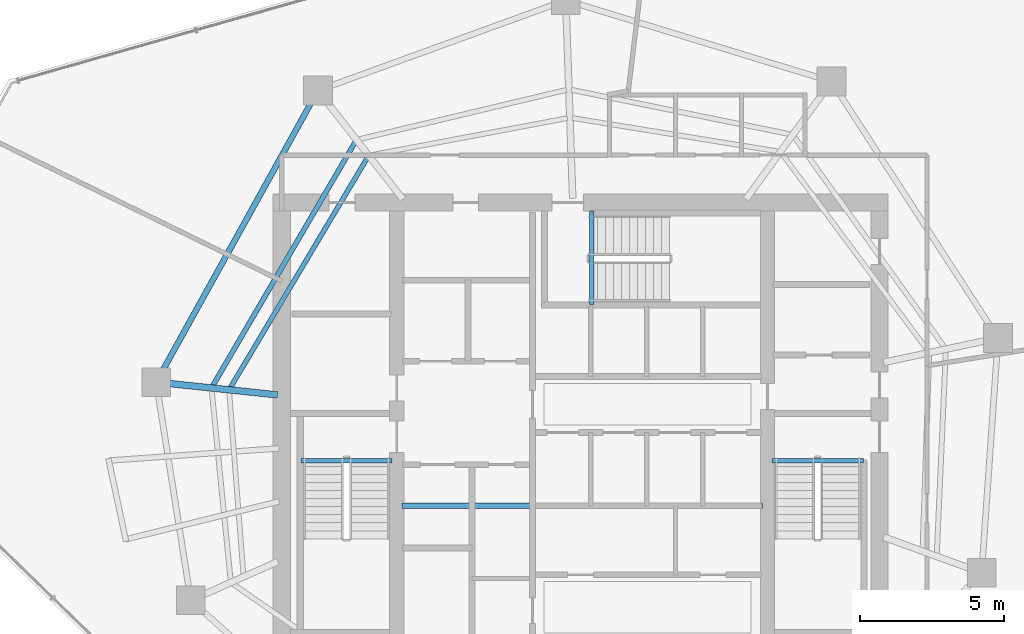
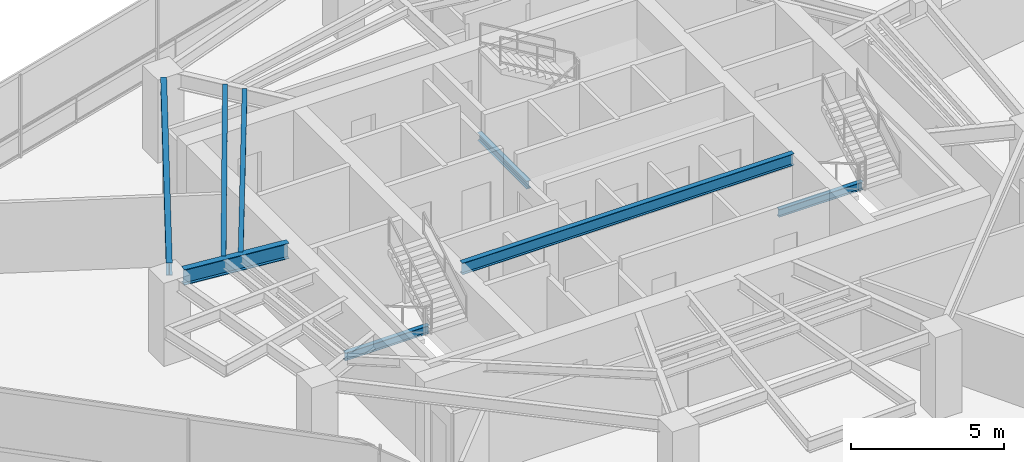
# One storey, part 5 of 19: 8 beams.
"""IFC4 building model written with IfcOpenShell, lengths in metres."""

import ifcopenshell
import ifcopenshell.guid

model = None  # the IFC model being written
_history = None  # IfcOwnerHistory: only IFC2X3 demands one
_inside = {}  # id of a spatial element -> (the spatial element, [elements in it])
_under = {}  # id of a project, library or spatial element -> (it, [spatial elements below it])
_declared = {}  # id of a project -> (the project, [libraries it declares])
_typed = {}  # id of a type object -> (the type object, [elements of that type])
_made_of = {}  # id of a material, layer set ... -> (it, [elements and type objects made of it])


def new_model(schema):
    """Start an empty IFC model of exactly this schema.

    Asked for "IFC4X3", IfcOpenShell would pick the latest addendum, in which some entities
    have other attributes; the version numbers below select the first issue.
    IFC2X3 requires an IfcOwnerHistory on every rooted entity: one is made here for all.
    """
    global model, _history
    if schema == "IFC4X3":
        model = ifcopenshell.file(schema_version=(4, 3, 0, 0))
    else:
        model = ifcopenshell.file(schema=schema)
    _inside.clear()
    _under.clear()
    _declared.clear()
    _typed.clear()
    _made_of.clear()
    _history = None
    if model.schema == "IFC2X3":
        org = make("IfcOrganization", Name="unknown")
        user = make(
            "IfcPersonAndOrganization",
            ThePerson=make("IfcPerson", FamilyName="unknown"),
            TheOrganization=org,
        )
        app = make(
            "IfcApplication",
            ApplicationDeveloper=org,
            Version="unknown",
            ApplicationFullName="unknown",
            ApplicationIdentifier="unknown",
        )
        _history = make(
            "IfcOwnerHistory",
            OwningUser=user,
            OwningApplication=app,
            ChangeAction="ADDED",
            CreationDate=0,
        )
    return model


def make(cls, **values):
    """One entity of the class cls with the attributes given. An attribute that is None is left unset."""
    return model.create_entity(
        cls, **{name: value for name, value in values.items() if value is not None}
    )


def rooted(cls, **values):
    """An entity with a GlobalId (a new one), such as an element, a storey or a relation."""
    return make(cls, GlobalId=ifcopenshell.guid.new(), OwnerHistory=_history, **values)


def si_unit(unit_type, name, prefix=None):
    """IfcSIUnit, for example si_unit("LENGTHUNIT", "METRE", prefix="MILLI")."""
    return make("IfcSIUnit", UnitType=unit_type, Prefix=prefix, Name=name)


def assignment(units):
    """IfcUnitAssignment: the units of a project."""
    return None if units is None else make("IfcUnitAssignment", Units=units)


def point(xyz):
    """IfcCartesianPoint."""
    return None if xyz is None else make("IfcCartesianPoint", Coordinates=xyz)


def direction(xyz):
    """IfcDirection."""
    return None if xyz is None else make("IfcDirection", DirectionRatios=xyz)


def frame(location, z_axis=None, x_axis=None):
    """IfcAxis2Placement3D, a coordinate frame: its origin and axes. An axis left out is left unset."""
    return make(
        "IfcAxis2Placement3D",
        Location=point(location),
        Axis=direction(z_axis),
        RefDirection=direction(x_axis),
    )


def frame_2d(location, x_axis=None):
    """IfcAxis2Placement2D, a coordinate frame in the plane: its origin and x axis."""
    return make(
        "IfcAxis2Placement2D", Location=point(location), RefDirection=direction(x_axis)
    )


def origin():
    """The frame at (0, 0, 0) with its axes left unset."""
    return frame((0.0, 0.0, 0.0))


def origin_2d():
    """The frame at (0, 0) in the plane with its x axis left unset."""
    return frame_2d((0.0, 0.0))


def place(relative_to, where):
    """IfcLocalPlacement: puts the frame where relative to a parent placement (None: the world)."""
    return make(
        "IfcLocalPlacement", PlacementRelTo=relative_to, RelativePlacement=where
    )


def context(
    kind, dimensions, precision=None, world=None, true_north=None, identifier=None
):
    """IfcGeometricRepresentationContext, for example the 3D "Model" context."""
    return make(
        "IfcGeometricRepresentationContext",
        ContextIdentifier=identifier,
        ContextType=kind,
        CoordinateSpaceDimension=dimensions,
        Precision=precision,
        WorldCoordinateSystem=world,
        TrueNorth=true_north,
    )


def subcontext(parent, identifier, kind, view, scale=None):
    """IfcGeometricRepresentationSubContext, for example "Body" below "Model"."""
    return make(
        "IfcGeometricRepresentationSubContext",
        ContextIdentifier=identifier,
        ContextType=kind,
        ParentContext=parent,
        TargetScale=scale,
        TargetView=view,
    )


def project(units=None, contexts=None):
    """IfcProject with its units and contexts."""
    return rooted(
        "IfcProject",
        Name="project",
        RepresentationContexts=contexts,
        UnitsInContext=assignment(units),
    )


def spatial(cls, under=None, at=None, **own):
    """A site, building, storey or space (cls), placed at a placement, below another one or the project."""
    s = rooted(cls, ObjectPlacement=at, **own)
    if under is not None:
        _under.setdefault(under.id(), (under, []))[1].append(s)
    return s


def profile(cls, at=None, kind="AREA", **sizes):
    """A parametric profile (cls). Its sizes go by their IFC names, for example OverallWidth=200.0."""
    return make(cls, ProfileType=kind, Position=at, **sizes)


def i_section(**sizes):
    """IfcIShapeProfileDef."""
    return profile("IfcIShapeProfileDef", **sizes)


def extrude(swept, where, along, depth):
    """IfcExtrudedAreaSolid: the profile swept, set in the frame where, extruded along a direction by depth."""
    return make(
        "IfcExtrudedAreaSolid",
        SweptArea=swept,
        Position=where,
        ExtrudedDirection=direction(along),
        Depth=depth,
    )


def shape(context_of_items, identifier, shape_type, items):
    """IfcShapeRepresentation: the items that make up one representation, for example the "Body"."""
    return make(
        "IfcShapeRepresentation",
        ContextOfItems=context_of_items,
        RepresentationIdentifier=identifier,
        RepresentationType=shape_type,
        Items=items,
    )


def material(Name=None, Category=None):
    """IfcMaterial."""
    return make("IfcMaterial", Name=Name, Category=Category)


def material_profile(
    of_material, cross_section, Name=None, Category=None, Priority=None
):
    """IfcMaterialProfile: a cross section and its material."""
    return make(
        "IfcMaterialProfile",
        Name=Name,
        Material=of_material,
        Profile=cross_section,
        Priority=Priority,
        Category=Category,
    )


def profile_set(profiles, Name=None, composite=None):
    """IfcMaterialProfileSet."""
    return make(
        "IfcMaterialProfileSet",
        Name=Name,
        MaterialProfiles=profiles,
        CompositeProfile=composite,
    )


def made_of(thing, what):
    """Note that an element or type object is made of a material, layer set ...; save() writes the relation."""
    if what is not None:
        _made_of.setdefault(what.id(), (what, []))[1].append(thing)
    return thing


def type_object(cls, material=None, **own):
    """A type object (cls), such as IfcWallType, which elements share."""
    return made_of(rooted(cls, **own), material)


def element(
    cls,
    number,
    at=None,
    inside=None,
    cuts=None,
    type_object=None,
    material=None,
    context=None,
    identifier="Body",
    shape_type=None,
    held_by="IfcProductDefinitionShape",
    body=None,
    shapes=None,
    **own,
):
    """One element of the class cls, such as IfcWall. Its Tag is "e" and its number.

    at: its placement. inside: the storey or other place that contains it. cuts: it is an
    opening in that element (IfcRelVoidsElement). A single representation is given by context,
    identifier, shape_type and body (its items); several are given by shapes. held_by: the class
    of the entity that holds the representations. save() writes the other relations.
    """
    e = rooted(cls, Tag="e%d" % number, ObjectPlacement=at, **own)
    if body is not None:
        shapes = [shape(context, identifier, shape_type, body)]
    if shapes is not None:
        e.Representation = make(held_by, Representations=shapes)
    if inside is not None:
        _inside.setdefault(inside.id(), (inside, []))[1].append(e)
    if cuts is not None:
        rooted(
            "IfcRelVoidsElement", RelatingBuildingElement=cuts, RelatedOpeningElement=e
        )
    if type_object is not None:
        _typed.setdefault(type_object.id(), (type_object, []))[1].append(e)
    return made_of(e, material)


def aggregate(whole, parts):
    """IfcRelAggregates: a whole, such as a stair, and the parts it consists of."""
    return rooted("IfcRelAggregates", RelatingObject=whole, RelatedObjects=parts)


def save(model, path):
    """Write the relations noted so far, then the file.

    IfcRelAggregates (storeys below a building ...), IfcRelContainedInSpatialStructure (elements
    in a storey), IfcRelDefinesByType, IfcRelAssociatesMaterial and IfcRelDeclares: one each for
    every whole, place, type object, material and project.
    """
    for whole, parts in _under.values():
        aggregate(whole, parts)
    for where, things in _inside.values():
        rooted(
            "IfcRelContainedInSpatialStructure",
            RelatedElements=things,
            RelatingStructure=where,
        )
    for kind, things in _typed.values():
        rooted("IfcRelDefinesByType", RelatedObjects=things, RelatingType=kind)
    for what, things in _made_of.values():
        rooted("IfcRelAssociatesMaterial", RelatedObjects=things, RelatingMaterial=what)
    for by, libraries in _declared.values():
        rooted("IfcRelDeclares", RelatingContext=by, RelatedDefinitions=libraries)
    model.write(path)


model = new_model("IFC4")

# Units and contexts
model_context = context("Model", 3, precision=1e-05, world=origin(), true_north=direction((0.0, 1.0)))
body_context = subcontext(model_context, "Body", "Model", "MODEL_VIEW")
ifc_project = project(units=[si_unit("LENGTHUNIT", "METRE"), si_unit("AREAUNIT", "SQUARE_METRE"), si_unit("VOLUMEUNIT", "CUBIC_METRE"), si_unit("PLANEANGLEUNIT", "RADIAN"), si_unit("MASSUNIT", "GRAM", prefix="KILO")], contexts=[model_context])

# Site, building, storey
site_placement = place(None, origin())
site = spatial("IfcSite", under=ifc_project, at=site_placement, CompositionType="ELEMENT")
building_placement = place(site_placement, origin())
building = spatial("IfcBuilding", under=site, at=building_placement, Name="Qarnah Convention Tower", CompositionType="ELEMENT")
storey_placement = place(building_placement, frame((0.0, 0.0, 125.699951171875)))
storey = spatial("IfcBuildingStorey", under=building, at=storey_placement, Name="L33", CompositionType="ELEMENT", Elevation=125.699951171875)

# Beams
ifc_material = material(Name="Structural steel S355JR", Category="steel")
ifc_material_profile_1 = material_profile(ifc_material, i_section(OverallWidth=0.19189453125, OverallDepth=0.464111328125, WebThickness=0.010986328125, FlangeThickness=0.01806640625, at=origin_2d()), Name="W460X89")
ifc_profile_set_1 = profile_set([ifc_material_profile_1], Name="Structural steel S355JR")
beam_type_1 = type_object("IfcBeamType", Name="BM-CANT-W460A", PredefinedType="BEAM", material=ifc_profile_set_1)
beam_1_placement = place(storey_placement, frame((30.97998046875, 23.64990234375, 3.088134765625), z_axis=(1.0, 0.0, 0.0), x_axis=(0.0, 1.0, 0.0)))
element("IfcBeam", 1, at=beam_1_placement, inside=storey, type_object=beam_type_1, Name="L33 beam BM-L33-KC1", PredefinedType="BEAM", context=body_context, shape_type="SweptSolid", body=[
    extrude(i_section(OverallWidth=0.19189453125, OverallDepth=0.464111328125, WebThickness=0.010986328125, FlangeThickness=0.01806640625, at=origin_2d()), origin(), (0.0, 0.0, 1.0), 12.5400390625),
])
ifc_material_profile_2 = material_profile(ifc_material, i_section(OverallWidth=0.166015625, OverallDepth=0.31201171875, WebThickness=0.007080078125, FlangeThickness=0.010986328125, at=origin_2d()), Name="W310X45")
ifc_profile_set_2 = profile_set([ifc_material_profile_2], Name="Structural steel S355JR")
beam_type_2 = type_object("IfcBeamType", Name="BM-JST-W310", PredefinedType="JOIST", material=ifc_profile_set_2)
for number, where, z_axis, x_axis, name in (
    (2, (27.4599609375, 25.217041015625, -0.156005859375), (1.0, 0.0, 0.0), (0.0, 1.0, 0.0), "L33 stair landing trimmer beam BM-L33-ST1-TRM"),
    (3, (43.860107421875, 25.217041015625, -0.156005859375), (1.0, 0.0, 0.0), (0.0, 1.0, 0.0), "L33 stair landing trimmer beam BM-L33-ST2-TRM"),
):
    element("IfcBeam", number, at=place(storey_placement, frame(where, z_axis=z_axis, x_axis=x_axis)), inside=storey, type_object=beam_type_2, Name=name, PredefinedType="BEAM", context=body_context, shape_type="SweptSolid", body=[
        extrude(i_section(OverallWidth=0.166015625, OverallDepth=0.31201171875, WebThickness=0.007080078125, FlangeThickness=0.010986328125, at=origin_2d()), origin(), (0.0, 0.0, 1.0), 3.179931640625),
    ])
beam_2_placement = place(storey_placement, frame((37.5830078125, 30.659912109375, -0.156005859375), z_axis=(0.0, 1.0, 0.0), x_axis=(-1.0, 0.0, 0.0)))
element("IfcBeam", 4, at=beam_2_placement, inside=storey, type_object=beam_type_2, Name="L33 stair landing trimmer beam BM-L33-ST3-TRM", PredefinedType="BEAM", context=body_context, shape_type="SweptSolid", body=[
    extrude(i_section(OverallWidth=0.166015625, OverallDepth=0.31201171875, WebThickness=0.007080078125, FlangeThickness=0.010986328125, at=origin_2d()), origin(), (0.0, 0.0, 1.0), 3.239990234375),
])
beam_3_placement = place(storey_placement, frame((29.779052734375, 35.761962890625, 3.1640625), z_axis=(-0.51201841679, -0.85897447044, 0.0), x_axis=(0.85897447044, -0.51201841679, 0.0)))
element("IfcBeam", 5, at=beam_3_placement, inside=storey, type_object=beam_type_2, Name="L33 joist BM-L33-IJST-04", PredefinedType="JOIST", context=body_context, shape_type="SweptSolid", body=[
    extrude(i_section(OverallWidth=0.166015625, OverallDepth=0.31201171875, WebThickness=0.007080078125, FlangeThickness=0.010986328125, at=origin_2d()), origin(), (0.0, 0.0, 1.0), 9.312255859375),
])
ifc_material_profile_3 = material_profile(ifc_material, i_section(OverallWidth=0.172119140625, OverallDepth=0.35595703125, WebThickness=0.007080078125, FlangeThickness=0.011962890625, at=origin_2d()), Name="W360X51")
ifc_profile_set_3 = profile_set([ifc_material_profile_3], Name="Structural steel S355JR")
beam_type_3 = type_object("IfcBeamType", Name="BM-JST-W360", PredefinedType="JOIST", material=ifc_profile_set_3)
beam_4_placement = place(storey_placement, frame((29.35400390625, 36.306884765625, 3.14208984375), z_axis=(-0.50462817984, -0.863336782554, 0.0), x_axis=(0.863336782554, -0.50462817984, 0.0)))
element("IfcBeam", 6, at=beam_4_placement, inside=storey, type_object=beam_type_3, Name="L33 joist BM-L33-SJST-04", PredefinedType="JOIST", context=body_context, shape_type="SweptSolid", body=[
    extrude(i_section(OverallWidth=0.172119140625, OverallDepth=0.35595703125, WebThickness=0.007080078125, FlangeThickness=0.011962890625, at=origin_2d()), origin(), (0.0, 0.0, 1.0), 9.8212890625),
])
ifc_material_profile_4 = material_profile(ifc_material, i_section(OverallWidth=0.22998046875, OverallDepth=0.617919921875, WebThickness=0.012939453125, FlangeThickness=0.02197265625, at=origin_2d()), Name="W610X140")
ifc_profile_set_4 = profile_set([ifc_material_profile_4], Name="Structural steel S355JR")
beam_type_4 = type_object("IfcBeamType", Name="BM-RAD-W610A", PredefinedType="BEAM", material=ifc_profile_set_4)
beam_5_placement = place(storey_placement, frame((26.65087890625, 27.509033203125, 3.010986328125), z_axis=(-0.994531015982, 0.104441649973, 0.0), x_axis=(-0.104441649973, -0.994531015982, 0.0)))
element("IfcBeam", 7, at=beam_5_placement, inside=storey, type_object=beam_type_4, Name="L33 beam BM-L33-RAD-05", PredefinedType="BEAM", context=body_context, shape_type="SweptSolid", body=[
    extrude(i_section(OverallWidth=0.22998046875, OverallDepth=0.617919921875, WebThickness=0.012939453125, FlangeThickness=0.02197265625, at=origin_2d()), origin(), (0.0, 0.0, 1.0), 3.763427734375),
])
ifc_material_profile_5 = material_profile(ifc_material, i_section(OverallWidth=0.199951171875, OverallDepth=0.5, WebThickness=0.010009765625, FlangeThickness=0.01611328125, at=origin_2d()), Name="IPE500")
ifc_profile_set_5 = profile_set([ifc_material_profile_5], Name="Structural steel S355JR")
beam_type_5 = type_object("IfcBeamType", Name="BM-SPN-IPE500", PredefinedType="SPANDREL", material=ifc_profile_set_5)
beam_6_placement = place(storey_placement, frame((27.819091796875, 37.673095703125, 3.070068359375), z_axis=(-0.48477441757, -0.874639219375, 0.0), x_axis=(0.874639219375, -0.48477441757, 0.0)))
element("IfcBeam", 8, at=beam_6_placement, inside=storey, type_object=beam_type_5, Name="L33 spandrel BM-L33-SPN-04", PredefinedType="SPANDREL", context=body_context, shape_type="SweptSolid", body=[
    extrude(i_section(OverallWidth=0.199951171875, OverallDepth=0.5, WebThickness=0.010009765625, FlangeThickness=0.01611328125, at=origin_2d()), origin(), (0.0, 0.0, 1.0), 10.623779296875),
])

save(model, "model.ifc")
